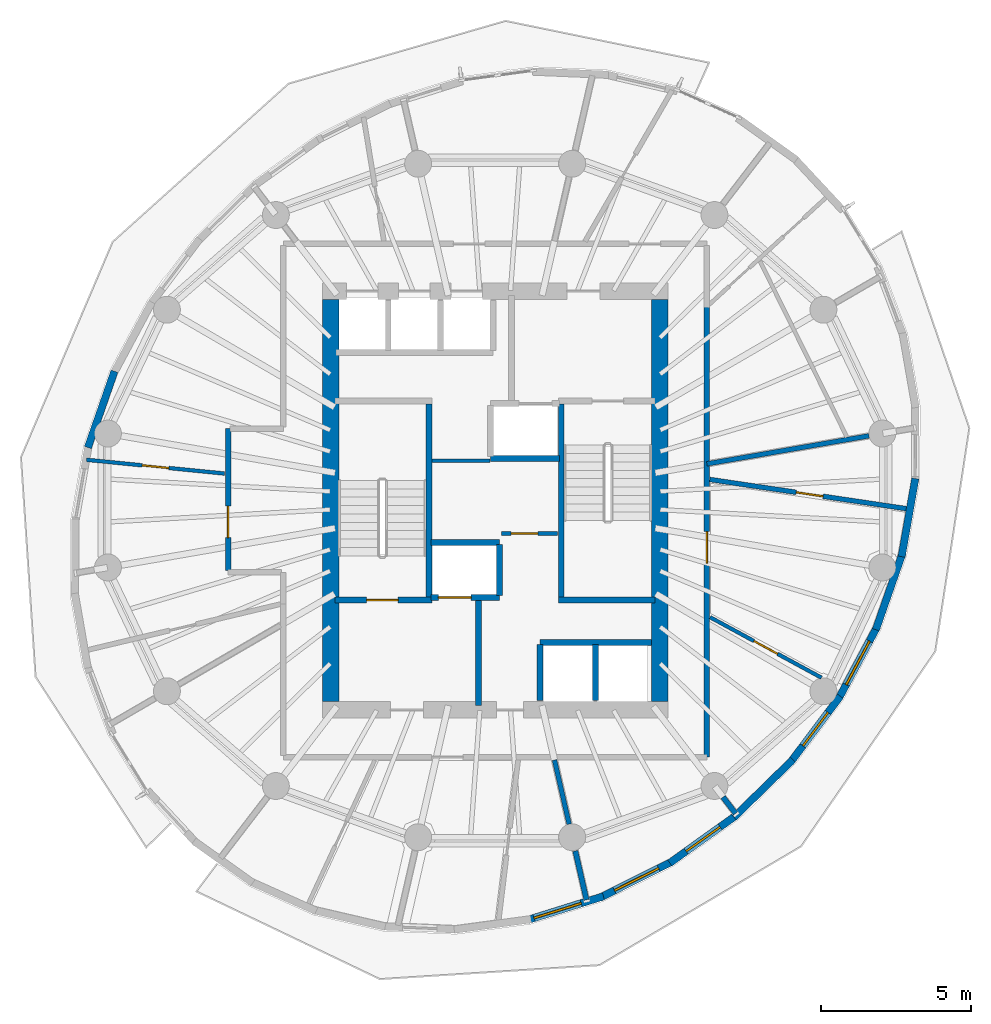
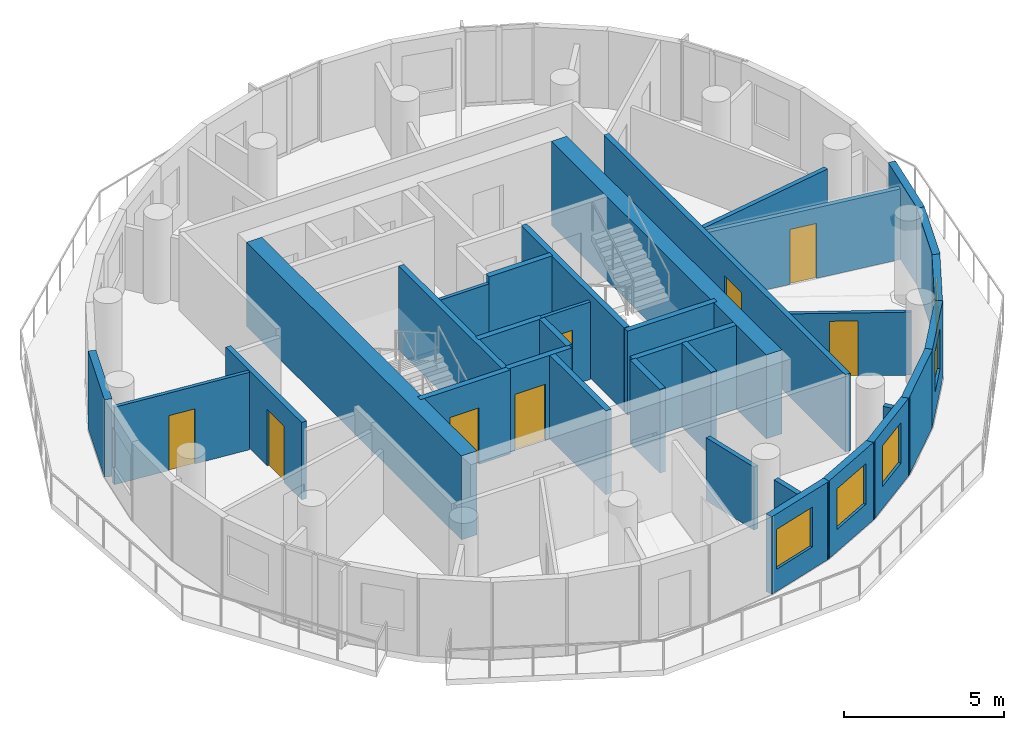
# One storey, part 5 of 10: 34 walls, 8 doors, 5 windows, 13 openings.
"""IFC4 building model written with IfcOpenShell, lengths in metres."""

from ifc_helpers import new_model, si_unit, direction, frame, frame_2d, origin, place, context, subcontext, project, spatial, rectangle, extrude, material, layer, layer_set, type_object, element, fill, save


model = new_model("IFC4")

# Units and contexts
model_context = context("Model", 3, precision=1e-05, world=origin(), true_north=direction((0.0, 1.0)))
body_context = subcontext(model_context, "Body", "Model", "MODEL_VIEW")
ifc_project = project(units=[si_unit("LENGTHUNIT", "METRE"), si_unit("AREAUNIT", "SQUARE_METRE"), si_unit("VOLUMEUNIT", "CUBIC_METRE"), si_unit("PLANEANGLEUNIT", "RADIAN"), si_unit("MASSUNIT", "GRAM", prefix="KILO")], contexts=[model_context])

# Site, building, storey
site_placement = place(None, origin())
site = spatial("IfcSite", under=ifc_project, at=site_placement, CompositionType="ELEMENT")
building_placement = place(site_placement, origin())
building = spatial("IfcBuilding", under=site, at=building_placement, Name="Veldorim Arch Residences", CompositionType="ELEMENT")
storey_placement = place(building_placement, frame((0.0, 0.0, 201.43994140625)))
storey = spatial("IfcBuildingStorey", under=building, at=storey_placement, Name="L60", CompositionType="ELEMENT", Elevation=201.43994140625)

# Wall, opening, door
ifc_material_1 = material(Name="Acoustic Gypsum Board", Category="gypsum")
ifc_layer_1 = layer(ifc_material_1, 0.125, Name="Acoustic Stud Room Partition Wall 125")
ifc_layer_set_1 = layer_set([ifc_layer_1], Name="Acoustic Gypsum Board")
wall_type_1 = type_object("IfcWallType", Name="Acoustic Stud Room Partition Wall 125", PredefinedType="PARTITIONING", material=ifc_layer_set_1)
wall_1_placement = place(storey_placement, frame((32.219970703125, 22.89990234375, 0.0), z_axis=(0.0, 0.0, 1.0), x_axis=(1.0, 0.0, 0.0)))
wall_1 = element("IfcWall", 1, at=wall_1_placement, inside=storey, type_object=wall_type_1, Name="L60 interior wall WL-CA-L60-2", PredefinedType="PARTITIONING", context=body_context, shape_type="SweptSolid", body=[
    extrude(rectangle(XDim=1.860107421875, YDim=0.125, at=frame_2d((0.93017578125, 0.0))), origin(), (0.0, 0.0, 1.0), 2.955078125),
])
opening_1_placement = place(wall_1_placement, frame((0.31005859375, 0.0, 0.0)))
opening_1 = element("IfcOpeningElement", 2, at=opening_1_placement, cuts=wall_1, Name="Opening DR-SVC", PredefinedType="OPENING", context=body_context, shape_type="SweptSolid", body=[
    extrude(rectangle(XDim=0.89990234375, YDim=2.10009765625, at=frame_2d((0.449951171875, 1.050048828125))), frame((0.0, 0.072509765625, 0.0), z_axis=(0.0, -1.0, 0.0), x_axis=(1.0, 0.0, 0.0)), (0.0, 0.0, 1.0), 0.14501953125),
])
ifc_material_2 = material(Name="Fire-Rated Steel", Category="steel")
door_type_1 = type_object("IfcDoorType", Name="Riser, Shelter & Plant Room Rated Steel Door 900x2100", OperationType="SINGLE_SWING_LEFT", PredefinedType="DOOR", material=ifc_material_2)
door_1_placement = place(opening_1_placement, origin())
door_1 = element("IfcDoor", 3, at=door_1_placement, inside=storey, type_object=door_type_1, Name="L60 interior door DR-L60-CA1", OperationType="SINGLE_SWING_RIGHT", OverallHeight=2.10009765625, OverallWidth=0.89990234375, PredefinedType="DOOR", context=body_context, shape_type="SweptSolid", body=[
    extrude(rectangle(XDim=0.89990234375, YDim=2.10009765625, at=frame_2d((0.449951171875, 1.050048828125))), frame((0.0, 0.02490234375, 0.0), z_axis=(0.0, -1.0, 0.0), x_axis=(1.0, 0.0, 0.0)), (0.0, 0.0, 1.0), 0.050048828125),
])
fill(opening_1, door_1)

# Wall
wall_2_placement = place(storey_placement, frame((29.889892578125, 25.330078125, 0.0), z_axis=(0.0, 0.0, 1.0), x_axis=(1.0, 0.0, 0.0)))
element("IfcWall", 4, at=wall_2_placement, inside=storey, type_object=wall_type_1, Name="L60 interior wall WL-CA-L60-N", PredefinedType="PARTITIONING", context=body_context, shape_type="SweptSolid", body=[
    extrude(rectangle(XDim=1.940185546875, YDim=0.125, at=frame_2d((0.97021484375, 0.0))), origin(), (0.0, 0.0, 1.0), 2.955078125),
])

# Wall, opening, door
wall_3_placement = place(storey_placement, frame((42.910888671875, 18.075439453125, 0.0), z_axis=(0.0, 0.0, 1.0), x_axis=(-0.878816171277, 0.477160494071, 0.0)))
wall_3 = element("IfcWall", 5, at=wall_3_placement, inside=storey, type_object=wall_type_1, Name="L60 interior wall WL-RES-L60-016", PredefinedType="PARTITIONING", context=body_context, shape_type="SweptSolid", body=[
    extrude(rectangle(XDim=4.239013671875, YDim=0.125, at=frame_2d((2.11962890625, 0.0))), origin(), (0.0, 0.0, 1.0), 2.403564453125),
])
opening_2_placement = place(wall_3_placement, frame((1.669677734375, 0.0, 0.0)))
opening_2 = element("IfcOpeningElement", 6, at=opening_2_placement, cuts=wall_3, Name="Opening DR-INT", PredefinedType="OPENING", context=body_context, shape_type="SweptSolid", body=[
    extrude(rectangle(XDim=0.89990234375, YDim=2.10009765625, at=frame_2d((0.449951171875, 1.050048828125))), frame((0.0, 0.072509765625, 0.0), z_axis=(0.0, -1.0, 0.0), x_axis=(1.0, 0.0, 0.0)), (0.0, 0.0, 1.0), 0.14501953125),
])
ifc_material_3 = material(Name="Engineered Timber", Category="wood")
door_type_2 = type_object("IfcDoorType", Name="Apartment Internal Room Timber Door 900x2100", OperationType="SINGLE_SWING_LEFT", PredefinedType="DOOR", material=ifc_material_3)
door_2_placement = place(opening_2_placement, origin())
door_2 = element("IfcDoor", 7, at=door_2_placement, inside=storey, type_object=door_type_2, Name="L60 interior door DR-RES-L60-006", OperationType="SINGLE_SWING_RIGHT", OverallHeight=2.10009765625, OverallWidth=0.89990234375, PredefinedType="DOOR", context=body_context, shape_type="SweptSolid", body=[
    extrude(rectangle(XDim=0.89990234375, YDim=2.10009765625, at=frame_2d((0.449951171875, 1.050048828125))), frame((0.0, 0.02490234375, 0.0), z_axis=(0.0, -1.0, 0.0), x_axis=(1.0, 0.0, 0.0)), (0.0, 0.0, 1.0), 0.050048828125),
])
fill(opening_2, door_2)

wall_4_placement = place(storey_placement, frame((18.33349609375, 25.361572265625, 0.0), z_axis=(0.0, 0.0, 1.0), x_axis=(0.995074627982, -0.09912862728, 0.0)))
wall_4 = element("IfcWall", 8, at=wall_4_placement, inside=storey, type_object=wall_type_1, Name="L60 interior wall WL-RES-L60-025", PredefinedType="PARTITIONING", context=body_context, shape_type="SweptSolid", body=[
    extrude(rectangle(XDim=4.64013671875, YDim=0.125, at=frame_2d((2.320068359375, 0.0))), origin(), (0.0, 0.0, 1.0), 2.955078125),
])
opening_3_placement = place(wall_4_placement, frame((1.8701171875, 0.0, 0.0)))
opening_3 = element("IfcOpeningElement", 9, at=opening_3_placement, cuts=wall_4, Name="Opening DR-INT", PredefinedType="OPENING", context=body_context, shape_type="SweptSolid", body=[
    extrude(rectangle(XDim=0.89990234375, YDim=2.10009765625, at=frame_2d((0.449951171875, 1.050048828125))), frame((0.0, 0.072509765625, 0.0), z_axis=(0.0, -1.0, 0.0), x_axis=(1.0, 0.0, 0.0)), (0.0, 0.0, 1.0), 0.14501953125),
])
door_3_placement = place(opening_3_placement, origin())
door_3 = element("IfcDoor", 10, at=door_3_placement, inside=storey, type_object=door_type_2, Name="L60 interior door DR-RES-L60-015", OperationType="SINGLE_SWING_LEFT", OverallHeight=2.10009765625, OverallWidth=0.89990234375, PredefinedType="DOOR", context=body_context, shape_type="SweptSolid", body=[
    extrude(rectangle(XDim=0.89990234375, YDim=2.10009765625, at=frame_2d((0.449951171875, 1.050048828125))), frame((0.0, 0.02490234375, 0.0), z_axis=(0.0, -1.0, 0.0), x_axis=(1.0, 0.0, 0.0)), (0.0, 0.0, 1.0), 0.050048828125),
])
fill(opening_3, door_3)

# Walls
ifc_material_4 = material(Name="Lightweight Masonry Block & Gypsum", Category="masonry")
ifc_layer_2 = layer(ifc_material_4, 0.179931640625, Name="Compartment & Corridor Fire-Rated Party Wall 180")
ifc_layer_set_2 = layer_set([ifc_layer_2], Name="Lightweight Masonry Block & Gypsum")
wall_type_2 = type_object("IfcWallType", Name="Compartment & Corridor Fire-Rated Party Wall 180", PredefinedType="PARTITIONING", material=ifc_layer_set_2)
wall_5_placement = place(storey_placement, frame((34.679931640625, 12.282470703125, 0.0), z_axis=(0.0, 0.0, 1.0), x_axis=(0.222978827263, -0.97482328788, 0.0)))
element("IfcWall", 11, at=wall_5_placement, inside=storey, type_object=wall_type_2, Name="L60 interior wall WL-PIER-L60-13", PredefinedType="PARTITIONING", context=body_context, shape_type="SweptSolid", body=[
    extrude(rectangle(XDim=1.678466796875, YDim=0.179931640625, at=frame_2d((0.83935546875, 0.0))), origin(), (0.0, 0.0, 1.0), 2.403564453125),
])
wall_6_placement = place(storey_placement, frame((39.619873046875, 14.08203125, 0.0), z_axis=(0.0, 0.0, 1.0), x_axis=(0.60904199592, -0.793137974885, 0.0)))
element("IfcWall", 12, at=wall_6_placement, inside=storey, type_object=wall_type_2, Name="L60 interior wall WL-PIER-L60-14", PredefinedType="PARTITIONING", context=body_context, shape_type="SweptSolid", body=[
    extrude(rectangle(XDim=0.688232421875, YDim=0.179931640625, at=frame_2d((0.34423828125, 0.0))), origin(), (0.0, 0.0, 1.0), 2.403564453125),
])

# Wall, opening, door
wall_7_placement = place(storey_placement, frame((39.080078125, 30.50830078125, 0.0), z_axis=(0.0, 0.0, 1.0), x_axis=(0.0, -1.0, 0.0)))
wall_7 = element("IfcWall", 13, at=wall_7_placement, inside=storey, type_object=wall_type_2, Name="L60 interior wall WL-RES-L60-003", PredefinedType="PARTITIONING", context=body_context, shape_type="SweptSolid", body=[
    extrude(rectangle(XDim=15.08837890625, YDim=0.179931640625, at=frame_2d((7.544189453125, 0.0))), origin(), (0.0, 0.0, 1.0), 2.955078125),
])
opening_4_placement = place(wall_7_placement, frame((7.548095703125, 0.0, 0.0)))
opening_4 = element("IfcOpeningElement", 14, at=opening_4_placement, cuts=wall_7, Name="Opening DR-FLT", PredefinedType="OPENING", context=body_context, shape_type="SweptSolid", body=[
    extrude(rectangle(XDim=1.050048828125, YDim=2.14990234375, at=frame_2d((0.52490234375, 1.074951171875))), frame((0.0, 0.099853515625, 0.0), z_axis=(0.0, -1.0, 0.0), x_axis=(1.0, 0.0, 0.0)), (0.0, 0.0, 1.0), 0.199951171875),
])
ifc_material_5 = material(Name="Fire-Rated Timber", Category="wood")
door_type_3 = type_object("IfcDoorType", Name="Apartment Entrance Solid-Core Fire Door 1050x2150", OperationType="SINGLE_SWING_LEFT", PredefinedType="DOOR", material=ifc_material_5)
door_4_placement = place(opening_4_placement, origin())
door_4 = element("IfcDoor", 15, at=door_4_placement, inside=storey, type_object=door_type_3, Name="L60 interior door DR-RES-L60-004", OperationType="SINGLE_SWING_RIGHT", OverallHeight=2.14990234375, OverallWidth=1.050048828125, PredefinedType="DOOR", context=body_context, shape_type="SweptSolid", body=[
    extrude(rectangle(XDim=1.050048828125, YDim=2.14990234375, at=frame_2d((0.52490234375, 1.074951171875))), frame((0.0, 0.02490234375, 0.0), z_axis=(0.0, -1.0, 0.0), x_axis=(1.0, 0.0, 0.0)), (0.0, 0.0, 1.0), 0.050048828125),
])
fill(opening_4, door_4)

wall_8_placement = place(storey_placement, frame((23.070068359375, 21.659912109375, 0.0), z_axis=(0.0, 0.0, 1.0), x_axis=(0.0, 1.0, 0.0)))
wall_8 = element("IfcWall", 16, at=wall_8_placement, inside=storey, type_object=wall_type_2, Name="L60 interior wall WL-RES-L60-008", PredefinedType="PARTITIONING", context=body_context, shape_type="SweptSolid", body=[
    extrude(rectangle(XDim=4.739990234375, YDim=0.179931640625, at=frame_2d((2.3701171875, 0.0))), origin(), (0.0, 0.0, 1.0), 2.955078125),
])
opening_5_placement = place(wall_8_placement, frame((1.099853515625, 0.0, 0.0)))
opening_5 = element("IfcOpeningElement", 17, at=opening_5_placement, cuts=wall_8, Name="Opening DR-FLT", PredefinedType="OPENING", context=body_context, shape_type="SweptSolid", body=[
    extrude(rectangle(XDim=1.050048828125, YDim=2.14990234375, at=frame_2d((0.52490234375, 1.074951171875))), frame((0.0, 0.099853515625, 0.0), z_axis=(0.0, -1.0, 0.0), x_axis=(1.0, 0.0, 0.0)), (0.0, 0.0, 1.0), 0.199951171875),
])
door_5_placement = place(opening_5_placement, origin())
door_5 = element("IfcDoor", 18, at=door_5_placement, inside=storey, type_object=door_type_3, Name="L60 interior door DR-RES-L60-013", OperationType="SINGLE_SWING_LEFT", OverallHeight=2.14990234375, OverallWidth=1.050048828125, PredefinedType="DOOR", context=body_context, shape_type="SweptSolid", body=[
    extrude(rectangle(XDim=1.050048828125, YDim=2.14990234375, at=frame_2d((0.52490234375, 1.074951171875))), frame((0.0, 0.02490234375, 0.0), z_axis=(0.0, -1.0, 0.0), x_axis=(1.0, 0.0, 0.0)), (0.0, 0.0, 1.0), 0.050048828125),
])
fill(opening_5, door_5)

# Wall
ifc_material_6 = material(Name="Concrete C50/60", Category="concrete")
ifc_layer_3 = layer(ifc_material_6, 0.199951171875, Name="Core Stair & Lift Shaft Enclosure Wall 200")
ifc_layer_set_3 = layer_set([ifc_layer_3], Name="Concrete C50/60")
wall_type_3 = type_object("IfcWallType", Name="Core Stair & Lift Shaft Enclosure Wall 200", PredefinedType="SHEAR", material=ifc_layer_set_3)
wall_9_placement = place(storey_placement, frame((29.7900390625, 20.780029296875, 0.0), z_axis=(0.0, 0.0, 1.0), x_axis=(0.0, 1.0, 0.0)))
element("IfcWall", 19, at=wall_9_placement, inside=storey, type_object=wall_type_3, Name="L60 shaft wall WL-SHF-L60-ST1-E", PredefinedType="SHEAR", context=body_context, shape_type="SweptSolid", body=[
    extrude(rectangle(XDim=6.43994140625, YDim=0.199951171875, at=frame_2d((3.219970703125, 0.0))), origin(), (0.0, 0.0, 1.0), 3.199951171875),
])

# Wall, opening, door
wall_10_placement = place(storey_placement, frame((26.64990234375, 20.669921875, 0.0), z_axis=(0.0, 0.0, 1.0), x_axis=(1.0, 0.0, 0.0)))
wall_10 = element("IfcWall", 20, at=wall_10_placement, inside=storey, type_object=wall_type_3, Name="L60 shaft wall WL-SHF-L60-ST1-S", PredefinedType="SHEAR", context=body_context, shape_type="SweptSolid", body=[
    extrude(rectangle(XDim=3.239990234375, YDim=0.199951171875, at=frame_2d((1.6201171875, 0.0))), origin(), (0.0, 0.0, 1.0), 3.199951171875),
])
opening_6_placement = place(wall_10_placement, frame((1.054931640625, 0.0, 0.0)))
opening_6 = element("IfcOpeningElement", 21, at=opening_6_placement, cuts=wall_10, Name="Opening DR-ST", PredefinedType="OPENING", context=body_context, shape_type="SweptSolid", body=[
    extrude(rectangle(XDim=1.050048828125, YDim=2.14990234375, at=frame_2d((0.52490234375, 1.074951171875))), frame((0.0, 0.10986328125, 0.0), z_axis=(0.0, -1.0, 0.0), x_axis=(1.0, 0.0, 0.0)), (0.0, 0.0, 1.0), 0.219970703125),
])
ifc_material_7 = material(Name="Fire-Rated Steel", Category="steel")
door_type_4 = type_object("IfcDoorType", Name="Exit Staircase Self-Closing Fire Door 1050x2150", OperationType="SINGLE_SWING_LEFT", PredefinedType="DOOR", material=ifc_material_7)
door_6_placement = place(opening_6_placement, origin())
door_6 = element("IfcDoor", 22, at=door_6_placement, inside=storey, type_object=door_type_4, Name="L60 interior door DR-L60-ST1", OperationType="SINGLE_SWING_LEFT", OverallHeight=2.14990234375, OverallWidth=1.050048828125, PredefinedType="DOOR", context=body_context, shape_type="SweptSolid", body=[
    extrude(rectangle(XDim=1.050048828125, YDim=2.14990234375, at=frame_2d((0.52490234375, 1.074951171875))), frame((0.0, 0.02490234375, 0.0), z_axis=(0.0, -1.0, 0.0), x_axis=(1.0, 0.0, 0.0)), (0.0, 0.0, 1.0), 0.050048828125),
])
fill(opening_6, door_6)

# Walls
wall_11_placement = place(storey_placement, frame((34.2099609375, 20.780029296875, 0.0), z_axis=(0.0, 0.0, 1.0), x_axis=(0.0, 1.0, 0.0)))
element("IfcWall", 23, at=wall_11_placement, inside=storey, type_object=wall_type_3, Name="L60 shaft wall WL-SHF-L60-ST2-W", PredefinedType="SHEAR", context=body_context, shape_type="SweptSolid", body=[
    extrude(rectangle(XDim=6.43994140625, YDim=0.199951171875, at=frame_2d((3.219970703125, 0.0))), origin(), (0.0, 0.0, 1.0), 3.199951171875),
])
wall_12_placement = place(storey_placement, frame((34.110107421875, 20.669921875, 0.0), z_axis=(0.0, 0.0, 1.0), x_axis=(1.0, 0.0, 0.0)))
element("IfcWall", 24, at=wall_12_placement, inside=storey, type_object=wall_type_3, Name="L60 shaft wall WL-SHF-L60-ST2-S", PredefinedType="SHEAR", context=body_context, shape_type="SweptSolid", body=[
    extrude(rectangle(XDim=3.239990234375, YDim=0.199951171875, at=frame_2d((1.6201171875, 0.0))), origin(), (0.0, 0.0, 1.0), 3.199951171875),
])
wall_13_placement = place(storey_placement, frame((31.449951171875, 17.14990234375, 0.0), z_axis=(0.0, 0.0, 1.0), x_axis=(0.0, 1.0, 0.0)))
element("IfcWall", 25, at=wall_13_placement, inside=storey, type_object=wall_type_3, Name="L60 shaft wall WL-FFL1-L60-E", PredefinedType="SHEAR", context=body_context, shape_type="SweptSolid", body=[
    extrude(rectangle(XDim=3.5, YDim=0.199951171875, at=frame_2d((1.75, 0.0))), origin(), (0.0, 0.0, 1.0), 3.199951171875),
])

# Wall, opening, door
wall_14_placement = place(storey_placement, frame((29.85009765625, 20.75, 0.0), z_axis=(0.0, 0.0, 1.0), x_axis=(1.0, 0.0, 0.0)))
wall_14 = element("IfcWall", 26, at=wall_14_placement, inside=storey, type_object=wall_type_3, Name="L60 shaft wall WL-FL01-L60-S", PredefinedType="SHEAR", context=body_context, shape_type="SweptSolid", body=[
    extrude(rectangle(XDim=2.2998046875, YDim=0.199951171875, at=frame_2d((1.14990234375, 0.0))), origin(), (0.0, 0.0, 1.0), 3.199951171875),
])
opening_7_placement = place(wall_14_placement, frame((0.25, 0.0, 0.0)))
opening_7 = element("IfcOpeningElement", 27, at=opening_7_placement, cuts=wall_14, Name="Opening LD-FF", PredefinedType="OPENING", context=body_context, shape_type="SweptSolid", body=[
    extrude(rectangle(XDim=1.10009765625, YDim=2.14990234375, at=frame_2d((0.550048828125, 1.074951171875))), frame((0.0, 0.10986328125, 0.0), z_axis=(0.0, -1.0, 0.0), x_axis=(1.0, 0.0, 0.0)), (0.0, 0.0, 1.0), 0.219970703125),
])
ifc_material_8 = material(Name="Stainless Steel", Category="steel")
door_type_5 = type_object("IfcDoorType", Name="Firefighting Lift Bi-Parting Sliding Landing Door 1100x2150", OperationType="DOUBLE_DOOR_SLIDING", PredefinedType="DOOR", material=ifc_material_8)
door_7_placement = place(opening_7_placement, origin())
door_7 = element("IfcDoor", 28, at=door_7_placement, inside=storey, type_object=door_type_5, Name="L60 lift landing door LD-L60-FL01", OperationType="DOUBLE_DOOR_SLIDING", OverallHeight=2.14990234375, OverallWidth=1.10009765625, PredefinedType="DOOR", context=body_context, shape_type="SweptSolid", body=[
    extrude(rectangle(XDim=1.10009765625, YDim=2.14990234375, at=frame_2d((0.550048828125, 1.074951171875))), frame((0.0, 0.02490234375, 0.0), z_axis=(0.0, -1.0, 0.0), x_axis=(1.0, 0.0, 0.0)), (0.0, 0.0, 1.0), 0.050048828125),
])
fill(opening_7, door_7)

# Walls
wall_15_placement = place(storey_placement, frame((29.85009765625, 22.60009765625, 0.0), z_axis=(0.0, 0.0, 1.0), x_axis=(1.0, 0.0, 0.0)))
element("IfcWall", 29, at=wall_15_placement, inside=storey, type_object=wall_type_3, Name="L60 shaft wall WL-FL01-L60-N", PredefinedType="SHEAR", context=body_context, shape_type="SweptSolid", body=[
    extrude(rectangle(XDim=2.2998046875, YDim=0.199951171875, at=frame_2d((1.14990234375, 0.0))), origin(), (0.0, 0.0, 1.0), 3.199951171875),
])
wall_16_placement = place(storey_placement, frame((32.14990234375, 20.820068359375, 0.0), z_axis=(0.0, 0.0, 1.0), x_axis=(0.0, 1.0, 0.0)))
element("IfcWall", 30, at=wall_16_placement, inside=storey, type_object=wall_type_3, Name="L60 shaft wall WL-FL01-L60-E", PredefinedType="SHEAR", context=body_context, shape_type="SweptSolid", body=[
    extrude(rectangle(XDim=1.7099609375, YDim=0.199951171875, at=frame_2d((0.85498046875, 0.0))), origin(), (0.0, 0.0, 1.0), 3.199951171875),
])
wall_17_placement = place(storey_placement, frame((31.85009765625, 25.39990234375, 0.0), z_axis=(0.0, 0.0, 1.0), x_axis=(1.0, 0.0, 0.0)))
element("IfcWall", 31, at=wall_17_placement, inside=storey, type_object=wall_type_3, Name="L60 shaft wall WL-FL02-L60-S", PredefinedType="SHEAR", context=body_context, shape_type="SweptSolid", body=[
    extrude(rectangle(XDim=2.2998046875, YDim=0.199951171875, at=frame_2d((1.14990234375, 0.0))), origin(), (0.0, 0.0, 1.0), 3.199951171875),
])
wall_18_placement = place(storey_placement, frame((33.5, 19.25, 0.0), z_axis=(0.0, 0.0, 1.0), x_axis=(1.0, 0.0, 0.0)))
element("IfcWall", 32, at=wall_18_placement, inside=storey, type_object=wall_type_3, Name="L60 shaft wall WL-OL-L60-N", PredefinedType="SHEAR", context=body_context, shape_type="SweptSolid", body=[
    extrude(rectangle(XDim=3.719970703125, YDim=0.199951171875, at=frame_2d((1.85986328125, 0.0))), origin(), (0.0, 0.0, 1.0), 3.199951171875),
])
for number, where, z_axis, x_axis, name in (
    (33, (33.5, 17.320068359375, 0.0), (0.0, 0.0, 1.0), (0.0, 1.0, 0.0), "L60 shaft wall WL-OL-L60-W"),
    (34, (35.35009765625, 17.320068359375, 0.0), (0.0, 0.0, 1.0), (0.0, 1.0, 0.0), "L60 shaft wall WL-OL-L60-D1"),
):
    element("IfcWall", number, at=place(storey_placement, frame(where, z_axis=z_axis, x_axis=x_axis)), inside=storey, type_object=wall_type_3, Name=name, PredefinedType="SHEAR", context=body_context, shape_type="SweptSolid", body=[
        extrude(rectangle(XDim=1.85986328125, YDim=0.199951171875, at=frame_2d((0.929931640625, 0.0))), origin(), (0.0, 0.0, 1.0), 3.199951171875),
    ])
ifc_material_9 = material(Name="Precast concrete C40/50", Category="concrete")
ifc_layer_4 = layer(ifc_material_9, 0.25, Name="Tower Terracotta Spandrel & Pier Wall 250")
ifc_layer_set_4 = layer_set([ifc_layer_4], Name="Precast concrete C40/50")
wall_type_4 = type_object("IfcWallType", Name="Tower Terracotta Spandrel & Pier Wall 250", PredefinedType="SOLIDWALL", material=ifc_layer_set_4)
wall_19_placement = place(storey_placement, frame((18.380859375, 25.770263671875, 0.0), z_axis=(0.0, 0.0, 1.0), x_axis=(0.329021781096, 0.94432233245, 0.0)))
element("IfcWall", 35, at=wall_19_placement, inside=storey, type_object=wall_type_4, Name="L60 terracotta facade wall 12", PredefinedType="SOLIDWALL", context=body_context, shape_type="SweptSolid", body=[
    extrude(rectangle(XDim=2.70166015625, YDim=0.25, at=frame_2d((1.350830078125, 0.0))), origin(), (0.0, 0.0, 1.0), 2.9599609375),
])

# Wall, opening, window
wall_20_placement = place(storey_placement, frame((35.620849609375, 10.765869140625, 0.0), z_axis=(0.0, 0.0, 1.0), x_axis=(-0.954307768746, -0.298825505122, 0.0)))
wall_20 = element("IfcWall", 36, at=wall_20_placement, inside=storey, type_object=wall_type_4, Name="L60 terracotta facade wall 24", PredefinedType="SOLIDWALL", context=body_context, shape_type="SweptSolid", body=[
    extrude(rectangle(XDim=2.651123046875, YDim=0.25, at=frame_2d((1.32568359375, 0.0))), origin(), (0.0, 0.0, 1.0), 2.9599609375),
])
opening_8_placement = place(wall_20_placement, frame((0.780029296875, 0.0, 0.85009765625)))
opening_8 = element("IfcOpeningElement", 37, at=opening_8_placement, cuts=wall_20, Name="Opening WN-03", PredefinedType="OPENING", context=body_context, shape_type="SweptSolid", body=[
    extrude(rectangle(XDim=1.64990234375, YDim=1.52001953125, at=frame_2d((0.824951171875, 0.760009765625))), frame((0.0, 0.135009765625, 0.0), z_axis=(0.0, -1.0, 0.0), x_axis=(1.0, 0.0, 0.0)), (0.0, 0.0, 1.0), 0.27001953125),
])
ifc_material_10 = material(Name="Laminated Low-E Glass", Category="glass")
window_type_1 = type_object("IfcWindowType", Name="Residential Wide Window 1650x1550", PartitioningType="SINGLE_PANEL", PredefinedType="WINDOW", material=ifc_material_10)
window_1_placement = place(opening_8_placement, origin())
window_1 = element("IfcWindow", 38, at=window_1_placement, inside=storey, type_object=window_type_1, Name="L60 solar-control facade window 24", OverallHeight=1.52001953125, OverallWidth=1.64990234375, PartitioningType="SINGLE_PANEL", PredefinedType="WINDOW", context=body_context, shape_type="SweptSolid", body=[
    extrude(rectangle(XDim=1.64990234375, YDim=1.52001953125, at=frame_2d((0.824951171875, 0.760009765625))), frame((0.0, 0.030029296875, 0.0), z_axis=(0.0, -1.0, 0.0), x_axis=(1.0, 0.0, 0.0)), (0.0, 0.0, 1.0), 0.06005859375),
])
fill(opening_8, window_1)

wall_21_placement = place(storey_placement, frame((37.93359375, 11.9365234375, 0.0), z_axis=(0.0, 0.0, 1.0), x_axis=(-0.893757522153, -0.448550433724, 0.0)))
wall_21 = element("IfcWall", 39, at=wall_21_placement, inside=storey, type_object=wall_type_4, Name="L60 terracotta facade wall 25", PredefinedType="SOLIDWALL", context=body_context, shape_type="SweptSolid", body=[
    extrude(rectangle(XDim=2.701904296875, YDim=0.25, at=frame_2d((1.35107421875, 0.0))), origin(), (0.0, 0.0, 1.0), 2.9599609375),
])
opening_9_placement = place(wall_21_placement, frame((0.52587890625, 0.0, 0.85009765625)))
opening_9 = element("IfcOpeningElement", 40, at=opening_9_placement, cuts=wall_21, Name="Opening WN-03", PredefinedType="OPENING", context=body_context, shape_type="SweptSolid", body=[
    extrude(rectangle(XDim=1.64990234375, YDim=1.550048828125, at=frame_2d((0.824951171875, 0.77490234375))), frame((0.0, 0.135009765625, 0.0), z_axis=(0.0, -1.0, 0.0), x_axis=(1.0, 0.0, 0.0)), (0.0, 0.0, 1.0), 0.27001953125),
])
window_2_placement = place(opening_9_placement, origin())
window_2 = element("IfcWindow", 41, at=window_2_placement, inside=storey, type_object=window_type_1, Name="L60 solar-control facade window 25", OverallHeight=1.550048828125, OverallWidth=1.64990234375, PartitioningType="SINGLE_PANEL", PredefinedType="WINDOW", context=body_context, shape_type="SweptSolid", body=[
    extrude(rectangle(XDim=1.64990234375, YDim=1.550048828125, at=frame_2d((0.824951171875, 0.77490234375))), frame((0.0, 0.030029296875, 0.0), z_axis=(0.0, -1.0, 0.0), x_axis=(1.0, 0.0, 0.0)), (0.0, 0.0, 1.0), 0.06005859375),
])
fill(opening_9, window_2)

wall_22_placement = place(storey_placement, frame((40.06640625, 13.474365234375, 0.0), z_axis=(0.0, 0.0, 1.0), x_axis=(-0.812997900305, -0.58226661771, 0.0)))
wall_22 = element("IfcWall", 42, at=wall_22_placement, inside=storey, type_object=wall_type_4, Name="L60 terracotta facade wall 26", PredefinedType="SOLIDWALL", context=body_context, shape_type="SweptSolid", body=[
    extrude(rectangle(XDim=2.738525390625, YDim=0.25, at=frame_2d((1.369140625, 0.0))), origin(), (0.0, 0.0, 1.0), 2.9599609375),
])
opening_10_placement = place(wall_22_placement, frame((0.6689453125, 0.0, 0.85009765625)))
opening_10 = element("IfcOpeningElement", 43, at=opening_10_placement, cuts=wall_22, Name="Opening WN-02", PredefinedType="OPENING", context=body_context, shape_type="SweptSolid", body=[
    extrude(rectangle(XDim=1.39990234375, YDim=1.550048828125, at=frame_2d((0.699951171875, 0.77490234375))), frame((0.0, 0.135009765625, 0.0), z_axis=(0.0, -1.0, 0.0), x_axis=(1.0, 0.0, 0.0)), (0.0, 0.0, 1.0), 0.27001953125),
])
ifc_material_11 = material(Name="Laminated Low-E Glass", Category="glass")
window_type_2 = type_object("IfcWindowType", Name="Residential Casement Window 1400x1550", PartitioningType="SINGLE_PANEL", PredefinedType="WINDOW", material=ifc_material_11)
window_3_placement = place(opening_10_placement, origin())
window_3 = element("IfcWindow", 44, at=window_3_placement, inside=storey, type_object=window_type_2, Name="L60 solar-control facade window 26", OverallHeight=1.550048828125, OverallWidth=1.39990234375, PartitioningType="SINGLE_PANEL", PredefinedType="WINDOW", context=body_context, shape_type="SweptSolid", body=[
    extrude(rectangle(XDim=1.39990234375, YDim=1.550048828125, at=frame_2d((0.699951171875, 0.77490234375))), frame((0.0, 0.030029296875, 0.0), z_axis=(0.0, -1.0, 0.0), x_axis=(1.0, 0.0, 0.0)), (0.0, 0.0, 1.0), 0.06005859375),
])
fill(opening_10, window_3)

# Wall
wall_23_placement = place(storey_placement, frame((41.95458984375, 15.3330078125, 0.0), z_axis=(0.0, 0.0, 1.0), x_axis=(-0.71485422762, -0.699273503898, 0.0)))
element("IfcWall", 45, at=wall_23_placement, inside=storey, type_object=wall_type_4, Name="L60 terracotta facade wall 27", PredefinedType="SOLIDWALL", context=body_context, shape_type="SweptSolid", body=[
    extrude(rectangle(XDim=2.7578125, YDim=0.25, at=frame_2d((1.37890625, 0.0))), origin(), (0.0, 0.0, 1.0), 2.9599609375),
])

# Wall, opening, window
wall_24_placement = place(storey_placement, frame((43.5400390625, 17.4560546875, 0.0), z_axis=(0.0, 0.0, 1.0), x_axis=(-0.600877762795, -0.799340924874, 0.0)))
wall_24 = element("IfcWall", 46, at=wall_24_placement, inside=storey, type_object=wall_type_4, Name="L60 terracotta facade wall 28", PredefinedType="SOLIDWALL", context=body_context, shape_type="SweptSolid", body=[
    extrude(rectangle(XDim=2.758056640625, YDim=0.25, at=frame_2d((1.37890625, 0.0))), origin(), (0.0, 0.0, 1.0), 2.9599609375),
])
opening_11_placement = place(wall_24_placement, frame((0.678955078125, 0.0, 0.85009765625)))
opening_11 = element("IfcOpeningElement", 47, at=opening_11_placement, cuts=wall_24, Name="Opening WN-02", PredefinedType="OPENING", context=body_context, shape_type="SweptSolid", body=[
    extrude(rectangle(XDim=1.39990234375, YDim=1.550048828125, at=frame_2d((0.699951171875, 0.77490234375))), frame((0.0, 0.135009765625, 0.0), z_axis=(0.0, -1.0, 0.0), x_axis=(1.0, 0.0, 0.0)), (0.0, 0.0, 1.0), 0.27001953125),
])
window_4_placement = place(opening_11_placement, origin())
window_4 = element("IfcWindow", 48, at=window_4_placement, inside=storey, type_object=window_type_2, Name="L60 solar-control facade window 28", OverallHeight=1.550048828125, OverallWidth=1.39990234375, PartitioningType="SINGLE_PANEL", PredefinedType="WINDOW", context=body_context, shape_type="SweptSolid", body=[
    extrude(rectangle(XDim=1.39990234375, YDim=1.550048828125, at=frame_2d((0.699951171875, 0.77490234375))), frame((0.0, 0.030029296875, 0.0), z_axis=(0.0, -1.0, 0.0), x_axis=(1.0, 0.0, 0.0)), (0.0, 0.0, 1.0), 0.06005859375),
])
fill(opening_11, window_4)

wall_25_placement = place(storey_placement, frame((44.774169921875, 19.778564453125, 0.0), z_axis=(0.0, 0.0, 1.0), x_axis=(-0.472035862223, -0.88157934684, 0.0)))
wall_25 = element("IfcWall", 49, at=wall_25_placement, inside=storey, type_object=wall_type_4, Name="L60 terracotta facade wall 29", PredefinedType="SOLIDWALL", context=body_context, shape_type="SweptSolid", body=[
    extrude(rectangle(XDim=2.738525390625, YDim=0.25, at=frame_2d((1.369140625, 0.0))), origin(), (0.0, 0.0, 1.0), 2.9599609375),
])
opening_12_placement = place(wall_25_placement, frame((0.5439453125, 0.0, 0.85009765625)))
opening_12 = element("IfcOpeningElement", 50, at=opening_12_placement, cuts=wall_25, Name="Opening WN-03", PredefinedType="OPENING", context=body_context, shape_type="SweptSolid", body=[
    extrude(rectangle(XDim=1.64990234375, YDim=1.550048828125, at=frame_2d((0.824951171875, 0.77490234375))), frame((0.0, 0.135009765625, 0.0), z_axis=(0.0, -1.0, 0.0), x_axis=(1.0, 0.0, 0.0)), (0.0, 0.0, 1.0), 0.27001953125),
])
window_5_placement = place(opening_12_placement, origin())
window_5 = element("IfcWindow", 51, at=window_5_placement, inside=storey, type_object=window_type_1, Name="L60 solar-control facade window 29", OverallHeight=1.550048828125, OverallWidth=1.64990234375, PartitioningType="SINGLE_PANEL", PredefinedType="WINDOW", context=body_context, shape_type="SweptSolid", body=[
    extrude(rectangle(XDim=1.64990234375, YDim=1.550048828125, at=frame_2d((0.824951171875, 0.77490234375))), frame((0.0, 0.030029296875, 0.0), z_axis=(0.0, -1.0, 0.0), x_axis=(1.0, 0.0, 0.0)), (0.0, 0.0, 1.0), 0.06005859375),
])
fill(opening_12, window_5)

# Walls
wall_26_placement = place(storey_placement, frame((45.619140625, 22.229736328125, 0.0), z_axis=(0.0, 0.0, 1.0), x_axis=(-0.329021781096, -0.94432233245, 0.0)))
element("IfcWall", 52, at=wall_26_placement, inside=storey, type_object=wall_type_4, Name="L60 terracotta facade wall 30", PredefinedType="SOLIDWALL", context=body_context, shape_type="SweptSolid", body=[
    extrude(rectangle(XDim=2.70166015625, YDim=0.25, at=frame_2d((1.350830078125, 0.0))), origin(), (0.0, 0.0, 1.0), 2.9599609375),
])
wall_27_placement = place(storey_placement, frame((46.049560546875, 24.734619140625, 0.0), z_axis=(0.0, 0.0, 1.0), x_axis=(-0.172755592744, -0.984964722808, 0.0)))
element("IfcWall", 53, at=wall_27_placement, inside=storey, type_object=wall_type_4, Name="L60 terracotta facade wall 31", PredefinedType="SOLIDWALL", context=body_context, shape_type="SweptSolid", body=[
    extrude(rectangle(XDim=2.651123046875, YDim=0.25, at=frame_2d((1.32568359375, 0.0))), origin(), (0.0, 0.0, 1.0), 2.9599609375),
])
ifc_material_12 = material(Name="Concrete C50/60", Category="concrete")
ifc_layer_5 = layer(ifc_material_12, 0.5, Name="Upper Central Core Shear Wall 560")
ifc_layer_set_5 = layer_set([ifc_layer_5], Name="Concrete C50/60")
wall_type_5 = type_object("IfcWallType", Name="Upper Central Core Shear Wall 560", PredefinedType="SHEAR", material=ifc_layer_set_5)
for number, where, z_axis, x_axis, name in (
    (54, (26.5, 17.280029296875, 0.0), (0.0, 0.0, 1.0), (0.0, 1.0, 0.0), "L60 central core west shear wall"),
    (55, (37.5, 17.280029296875, 0.0), (0.0, 0.0, 1.0), (0.0, 1.0, 0.0), "L60 central core east shear wall"),
):
    element("IfcWall", number, at=place(storey_placement, frame(where, z_axis=z_axis, x_axis=x_axis)), inside=storey, type_object=wall_type_5, Name=name, PredefinedType="SHEAR", context=body_context, shape_type="SweptSolid", body=[
        extrude(rectangle(XDim=13.43994140625, YDim=0.56005859375, at=frame_2d((6.719970703125, 0.0))), origin(), (0.0, 0.0, 1.0), 3.199951171875),
    ])
ifc_material_13 = material(Name="Moisture-Resistant Gypsum & Stud", Category="gypsum")
ifc_layer_6 = layer(ifc_material_13, 0.159912109375, Name="Wet-Area Moisture-Resistant Plumbing Wall 160")
ifc_layer_set_6 = layer_set([ifc_layer_6], Name="Moisture-Resistant Gypsum & Stud")
wall_type_6 = type_object("IfcWallType", Name="Wet-Area Moisture-Resistant Plumbing Wall 160", PredefinedType="PLUMBINGWALL", material=ifc_layer_set_6)
wall_28_placement = place(storey_placement, frame((33.984619140625, 15.322509765625, 0.0), z_axis=(0.0, 0.0, 1.0), x_axis=(0.222969522248, -0.974825416241, 0.0)))
element("IfcWall", 56, at=wall_28_placement, inside=storey, type_object=wall_type_6, Name="L60 interior wall WL-RES-L60-013", PredefinedType="PLUMBINGWALL", context=body_context, shape_type="SweptSolid", body=[
    extrude(rectangle(XDim=2.19873046875, YDim=0.159912109375, at=frame_2d((1.099365234375, 0.0))), origin(), (0.0, 0.0, 1.0), 2.403564453125),
])

# Wall, opening, door
wall_29_placement = place(storey_placement, frame((39.178955078125, 24.702880859375, 0.0), z_axis=(0.0, 0.0, 1.0), x_axis=(0.989134988757, -0.147010115356, 0.0)))
wall_29 = element("IfcWall", 57, at=wall_29_placement, inside=storey, type_object=wall_type_6, Name="L60 interior wall WL-RES-L60-015", PredefinedType="PLUMBINGWALL", context=body_context, shape_type="SweptSolid", body=[
    extrude(rectangle(XDim=6.7490234375, YDim=0.159912109375, at=frame_2d((3.37451171875, 0.0))), origin(), (0.0, 0.0, 1.0), 2.692138671875),
])
opening_13_placement = place(wall_29_placement, frame((2.924560546875, 0.0, 0.0)))
opening_13 = element("IfcOpeningElement", 58, at=opening_13_placement, cuts=wall_29, Name="Opening DR-WC", PredefinedType="OPENING", context=body_context, shape_type="SweptSolid", body=[
    extrude(rectangle(XDim=0.89990234375, YDim=2.10009765625, at=frame_2d((0.449951171875, 1.050048828125))), frame((0.0, 0.08984375, 0.0), z_axis=(0.0, -1.0, 0.0), x_axis=(1.0, 0.0, 0.0)), (0.0, 0.0, 1.0), 0.179931640625),
])
ifc_material_14 = material(Name="Laminate Timber", Category="wood")
door_type_6 = type_object("IfcDoorType", Name="Bathroom & Accessible WC Moisture-Sealed Door 900x2100", OperationType="SINGLE_SWING_LEFT", PredefinedType="DOOR", material=ifc_material_14)
door_8_placement = place(opening_13_placement, origin())
door_8 = element("IfcDoor", 59, at=door_8_placement, inside=storey, type_object=door_type_6, Name="L60 interior door DR-RES-L60-005", OperationType="SINGLE_SWING_LEFT", OverallHeight=2.10009765625, OverallWidth=0.89990234375, PredefinedType="DOOR", context=body_context, shape_type="SweptSolid", body=[
    extrude(rectangle(XDim=0.89990234375, YDim=2.10009765625, at=frame_2d((0.449951171875, 1.050048828125))), frame((0.0, 0.02490234375, 0.0), z_axis=(0.0, -1.0, 0.0), x_axis=(1.0, 0.0, 0.0)), (0.0, 0.0, 1.0), 0.050048828125),
])
fill(opening_13, door_8)

# Wall
wall_30_placement = place(storey_placement, frame((39.080078125, 25.224609375, 0.0), z_axis=(0.0, 0.0, 1.0), x_axis=(0.985359973695, 0.170486721591, 0.0)))
element("IfcWall", 60, at=wall_30_placement, inside=storey, type_object=wall_type_6, Name="L60 interior wall WL-RES-L60-017", PredefinedType="PLUMBINGWALL", context=body_context, shape_type="SweptSolid", body=[
    extrude(rectangle(XDim=5.4990234375, YDim=0.159912109375, at=frame_2d((2.74951171875, 0.0))), origin(), (0.0, 0.0, 1.0), 2.403564453125),
])

save(model, "model.ifc")
